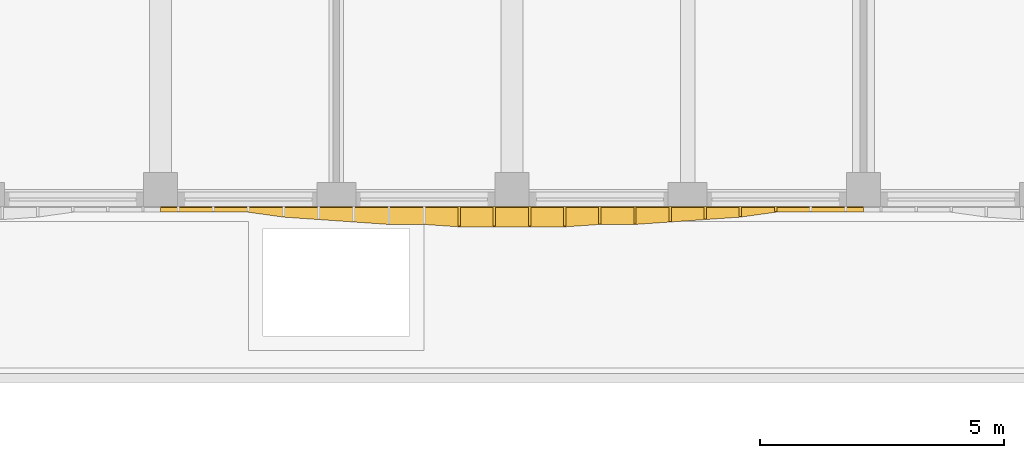
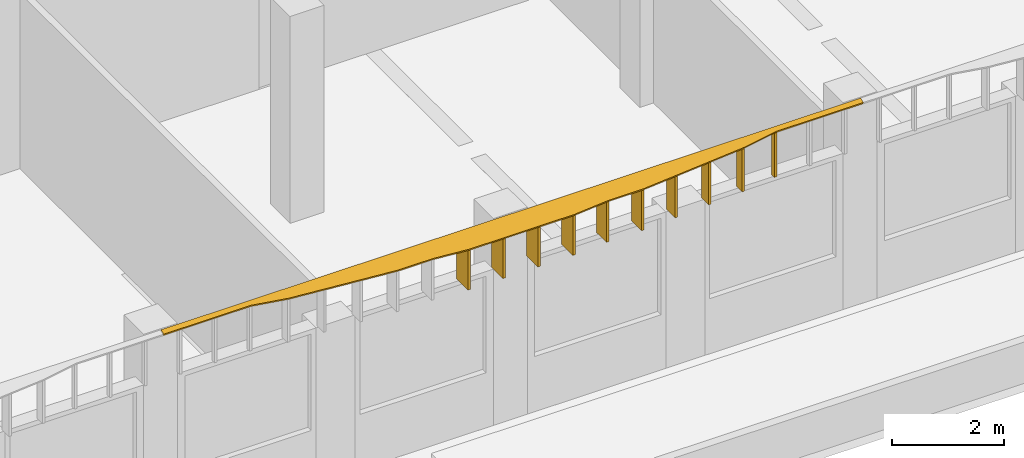
# One storey, part 49 of 59: 11 shading devices.
"""IFC4 building model written with IfcOpenShell, lengths in metres."""

from ifc_helpers import new_model, si_unit, direction, frame, origin, place, context, subcontext, project, spatial, polyline, outline, extrude, material, layer, layer_set, type_object, element, save


model = new_model("IFC4")

# Units and contexts
model_context = context("Model", 3, precision=1e-05, world=origin(), true_north=direction((0.0, 1.0)))
body_context = subcontext(model_context, "Body", "Model", "MODEL_VIEW")
ifc_project = project(units=[si_unit("LENGTHUNIT", "METRE"), si_unit("AREAUNIT", "SQUARE_METRE"), si_unit("VOLUMEUNIT", "CUBIC_METRE"), si_unit("PLANEANGLEUNIT", "RADIAN"), si_unit("MASSUNIT", "GRAM", prefix="KILO")], contexts=[model_context])

# Site, building, storey
site_placement = place(None, origin())
site = spatial("IfcSite", under=ifc_project, at=site_placement, CompositionType="ELEMENT")
building_placement = place(site_placement, origin())
building = spatial("IfcBuilding", under=site, at=building_placement, Name="Ussher Court Research Institute", CompositionType="ELEMENT")
storey_placement = place(building_placement, frame((0.0, 0.0, 5.39990234375)))
storey = spatial("IfcBuildingStorey", under=building, at=storey_placement, Name="L01", CompositionType="ELEMENT", Elevation=5.39990234375)

# Shading devices
ifc_material_1 = material(Name="Bronze anodised aluminium", Category="aluminium")
ifc_layer_1 = layer(ifc_material_1, 0.050048828125)
ifc_layer_set_1 = layer_set([ifc_layer_1], Name="Bronze anodised aluminium")
shading_device_type_1 = type_object("IfcShadingDeviceType", Name="Brim blade 100 mm deep 1000 mm high canted 20 deg dry", PredefinedType="USERDEFINED", material=ifc_layer_set_1)
shading_device_1_placement = place(storey_placement, frame((66.0, 68.39990234375, 3.4501953125), z_axis=(0.0, 0.0, 1.0), x_axis=(0.0, -1.0, 0.0)))
element("IfcShadingDevice", 1, at=shading_device_1_placement, inside=storey, type_object=shading_device_type_1, Name="Brim blade BS17 L01", ObjectType="BLADE", PredefinedType="USERDEFINED", context=body_context, shape_type="SweptSolid", body=[
    extrude(outline(polyline([(0.0, 0.0), (0.099853515625, 0.0), (0.10009765625, 0.963623046875), (0.0, 1.0), (0.0, 0.0)])), frame((0.0, 0.02490234375, 0.0), z_axis=(0.0, -1.0, 0.0), x_axis=(1.0, 0.0, 0.0)), (0.0, 0.0, 1.0), 0.050048828125),
])
ifc_material_2 = material(Name="Bronze anodised aluminium", Category="aluminium")
ifc_layer_2 = layer(ifc_material_2, 0.050048828125)
ifc_layer_set_2 = layer_set([ifc_layer_2], Name="Bronze anodised aluminium")
shading_device_type_2 = type_object("IfcShadingDeviceType", Name="Brim blade 200 mm deep 1000 mm high canted 20 deg dry", PredefinedType="USERDEFINED", material=ifc_layer_set_2)
shading_device_2_placement = place(storey_placement, frame((65.280029296875, 68.39990234375, 3.4501953125), z_axis=(0.0, 0.0, 1.0), x_axis=(0.0, -1.0, 0.0)))
element("IfcShadingDevice", 2, at=shading_device_2_placement, inside=storey, type_object=shading_device_type_2, Name="Brim blade BS15 L01", ObjectType="BLADE", PredefinedType="USERDEFINED", context=body_context, shape_type="SweptSolid", body=[
    extrude(outline(polyline([(0.0, 0.0), (0.199951171875, 0.0), (0.199951171875, 0.927001953125), (0.0, 1.0), (0.0, 0.0)])), frame((0.0, 0.02490234375, 0.0), z_axis=(0.0, -1.0, 0.0), x_axis=(1.0, 0.0, 0.0)), (0.0, 0.0, 1.0), 0.050048828125),
])
ifc_material_3 = material(Name="Bronze anodised aluminium", Category="aluminium")
ifc_layer_3 = layer(ifc_material_3, 0.050048828125)
ifc_layer_set_3 = layer_set([ifc_layer_3], Name="Bronze anodised aluminium")
shading_device_type_3 = type_object("IfcShadingDeviceType", Name="Brim blade 250 mm deep 1000 mm high canted 20 deg dry", PredefinedType="USERDEFINED", material=ifc_layer_set_3)
shading_device_3_placement = place(storey_placement, frame((64.56005859375, 68.39990234375, 3.4501953125), z_axis=(0.0, 0.0, 1.0), x_axis=(0.0, -1.0, 0.0)))
element("IfcShadingDevice", 3, at=shading_device_3_placement, inside=storey, type_object=shading_device_type_3, Name="Brim blade BS14 L01", ObjectType="BLADE", PredefinedType="USERDEFINED", context=body_context, shape_type="SweptSolid", body=[
    extrude(outline(polyline([(0.0, 0.0), (0.25, 0.0), (0.25, 0.908935546875), (0.0, 1.0), (0.0, 0.0)])), frame((0.0, 0.02490234375, 0.0), z_axis=(0.0, -1.0, 0.0), x_axis=(1.0, 0.0, 0.0)), (0.0, 0.0, 1.0), 0.050048828125),
])
ifc_material_4 = material(Name="Bronze anodised aluminium", Category="aluminium")
ifc_layer_4 = layer(ifc_material_4, 0.050048828125)
ifc_layer_set_4 = layer_set([ifc_layer_4], Name="Bronze anodised aluminium")
shading_device_type_4 = type_object("IfcShadingDeviceType", Name="Brim blade 300 mm deep 1000 mm high canted 20 deg dry", PredefinedType="USERDEFINED", material=ifc_layer_set_4)
shading_device_4_placement = place(storey_placement, frame((63.840087890625, 68.39990234375, 3.4501953125), z_axis=(0.0, 0.0, 1.0), x_axis=(0.0, -1.0, 0.0)))
element("IfcShadingDevice", 4, at=shading_device_4_placement, inside=storey, type_object=shading_device_type_4, Name="Brim blade BS13 L01", ObjectType="BLADE", PredefinedType="USERDEFINED", context=body_context, shape_type="SweptSolid", body=[
    extrude(outline(polyline([(0.0, 0.0), (0.2998046875, 0.0), (0.300048828125, 0.890625), (0.0, 1.0), (0.0, 0.0)])), frame((0.0, 0.02490234375, 0.0), z_axis=(0.0, -1.0, 0.0), x_axis=(1.0, 0.0, 0.0)), (0.0, 0.0, 1.0), 0.050048828125),
])
ifc_material_5 = material(Name="Bronze anodised aluminium", Category="aluminium")
ifc_layer_5 = layer(ifc_material_5, 0.050048828125)
ifc_layer_set_5 = layer_set([ifc_layer_5], Name="Bronze anodised aluminium")
shading_device_type_5 = type_object("IfcShadingDeviceType", Name="Brim blade 350 mm deep 1000 mm high canted 20 deg dry", PredefinedType="USERDEFINED", material=ifc_layer_set_5)
for number, where, z_axis, x_axis, name in (
    (5, (63.1201171875, 68.39990234375, 3.4501953125), (0.0, 0.0, 1.0), (0.0, -1.0, 0.0), "Brim blade BS12 L01"),
    (6, (62.39990234375, 68.39990234375, 3.4501953125), (0.0, 0.0, 1.0), (0.0, -1.0, 0.0), "Brim blade BS12 L01"),
):
    element("IfcShadingDevice", number, at=place(storey_placement, frame(where, z_axis=z_axis, x_axis=x_axis)), inside=storey, type_object=shading_device_type_5, Name=name, ObjectType="BLADE", PredefinedType="USERDEFINED", context=body_context, shape_type="SweptSolid", body=[
        extrude(outline(polyline([(0.0, 0.0), (0.349853515625, 0.0), (0.35009765625, 0.87255859375), (0.0, 1.0), (0.0, 0.0)])), frame((0.0, 0.02490234375, 0.0), z_axis=(0.0, -1.0, 0.0), x_axis=(1.0, 0.0, 0.0)), (0.0, 0.0, 1.0), 0.050048828125),
    ])
ifc_material_6 = material(Name="Bronze anodised aluminium", Category="aluminium")
ifc_layer_6 = layer(ifc_material_6, 0.050048828125)
ifc_layer_set_6 = layer_set([ifc_layer_6], Name="Bronze anodised aluminium")
shading_device_type_6 = type_object("IfcShadingDeviceType", Name="Brim blade 400 mm deep 1000 mm high canted 20 deg dry", PredefinedType="USERDEFINED", material=ifc_layer_set_6)
for number, where, z_axis, x_axis, name in (
    (7, (61.679931640625, 68.39990234375, 3.4501953125), (0.0, 0.0, 1.0), (0.0, -1.0, 0.0), "Brim blade BS11 L01"),
    (8, (60.9599609375, 68.39990234375, 3.4501953125), (0.0, 0.0, 1.0), (0.0, -1.0, 0.0), "Brim blade BS11 L01"),
    (9, (60.239990234375, 68.39990234375, 3.4501953125), (0.0, 0.0, 1.0), (0.0, -1.0, 0.0), "Brim blade BS11 L01"),
    (10, (59.52001953125, 68.39990234375, 3.4501953125), (0.0, 0.0, 1.0), (0.0, -1.0, 0.0), "Brim blade BS11 L01"),
):
    element("IfcShadingDevice", number, at=place(storey_placement, frame(where, z_axis=z_axis, x_axis=x_axis)), inside=storey, type_object=shading_device_type_6, Name=name, ObjectType="BLADE", PredefinedType="USERDEFINED", context=body_context, shape_type="SweptSolid", body=[
        extrude(outline(polyline([(0.0, 0.0), (0.39990234375, 0.0), (0.39990234375, 0.854248046875), (0.0, 1.0), (0.0, 0.0)])), frame((0.0, 0.02490234375, 0.0), z_axis=(0.0, -1.0, 0.0), x_axis=(1.0, 0.0, 0.0)), (0.0, 0.0, 1.0), 0.050048828125),
    ])
ifc_material_7 = material(Name="Bronze anodised aluminium", Category="aluminium")
ifc_layer_7 = layer(ifc_material_7, 0.0400390625)
ifc_layer_set_7 = layer_set([ifc_layer_7], Name="Bronze anodised aluminium")
shading_device_type_7 = type_object("IfcShadingDeviceType", Name="Brim visor sheet 40 mm canted 20 deg dry", PredefinedType="USERDEFINED", material=ifc_layer_set_7)
shading_device_5_placement = place(storey_placement, frame((67.800048828125, 68.38623046875, 4.48779296875), z_axis=(0.0, -0.342400471463, 0.939554105489), x_axis=(-1.0, 0.0, 0.0)))
element("IfcShadingDevice", 11, at=shading_device_5_placement, inside=storey, type_object=shading_device_type_7, Name="Brim visor sheet BR2 L01", ObjectType="BRIM", PredefinedType="USERDEFINED", context=body_context, shape_type="SweptSolid", body=[
    extrude(outline(polyline([(0.0, 0.0), (14.400146484375, 0.0), (14.400146484375, 0.10627326645340238), (14.0400390625, 0.10627326645340238), (13.320068359375, 0.10627326645340238), (12.60009765625, 0.10627326645340238), (11.880126953125, 0.2128595100984436), (11.16015625, 0.2660690380558608), (10.43994140625, 0.3193621598783814), (9.719970703125, 0.37234230450926314), (9.0, 0.37234230450926314), (8.280029296875, 0.42563542633178375), (7.56005859375, 0.42563542633178375), (6.840087890625, 0.42563542633178375), (6.1201171875, 0.42563542633178375), (5.400146484375, 0.37234230450926314), (4.679931640625, 0.37234230450926314), (3.9599609375, 0.3193621598783814), (3.239990234375, 0.2660690380558608), (2.52001953125, 0.2128595100984436), (1.800048828125, 0.10627326645340238), (1.080078125, 0.10627326645340238), (0.360107421875, 0.10627326645340238), (0.0, 0.10627326645340238), (0.0, 0.0)])), origin(), (0.0, 0.0, -1.0), 0.0400390625),
])

save(model, "model.ifc")
